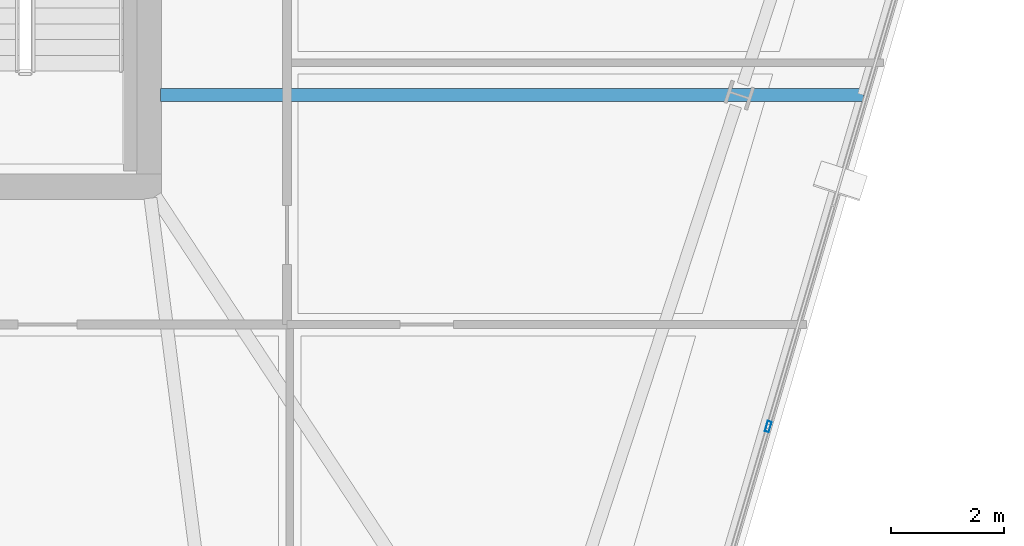
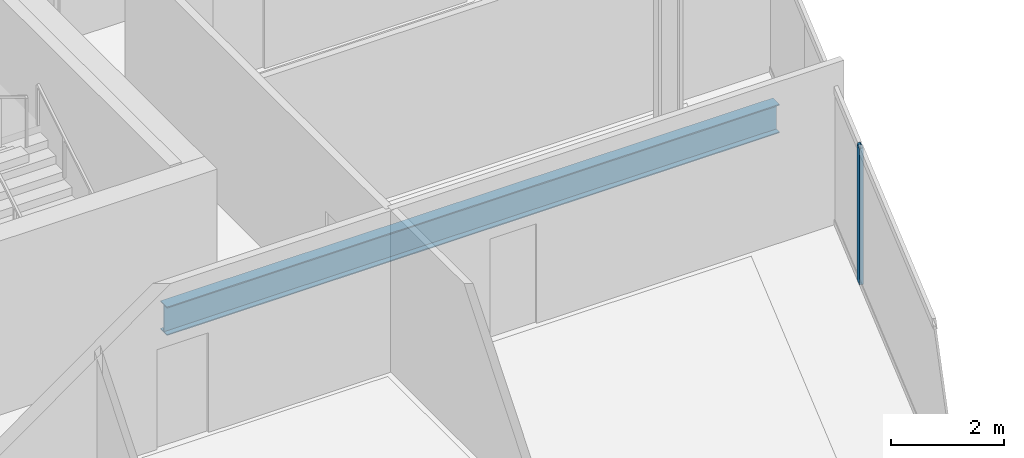
# One storey, part 10 of 26: 1 beam, 1 member, 1 element without a shape of its own.
"""IFC4 building model written with IfcOpenShell, lengths in metres."""

from ifc_helpers import new_model, si_unit, direction, frame, origin, origin_2d, place, context, subcontext, project, spatial, hollow_rectangle, i_section, extrude, material, material_profile, profile_set, type_object, element, aggregate, save


model = new_model("IFC4")

# Units and contexts
model_context = context("Model", 3, precision=1e-05, world=origin(), true_north=direction((0.0, 1.0)))
body_context = subcontext(model_context, "Body", "Model", "MODEL_VIEW")
ifc_project = project(units=[si_unit("LENGTHUNIT", "METRE"), si_unit("AREAUNIT", "SQUARE_METRE"), si_unit("VOLUMEUNIT", "CUBIC_METRE"), si_unit("PLANEANGLEUNIT", "RADIAN"), si_unit("MASSUNIT", "GRAM", prefix="KILO")], contexts=[model_context])

# Site, building, storey
site_placement = place(None, origin())
site = spatial("IfcSite", under=ifc_project, at=site_placement, CompositionType="ELEMENT")
building_placement = place(site_placement, origin())
building = spatial("IfcBuilding", under=site, at=building_placement, Name="Haldenkirk Collegiate Tower", CompositionType="ELEMENT")
storey_placement = place(building_placement, frame((0.0, 0.0, 274.949951171875)))
storey = spatial("IfcBuildingStorey", under=building, at=storey_placement, Name="L69", CompositionType="ELEMENT", Elevation=274.949951171875)

# Beam
ifc_material_1 = material(Name="Steel ASTM A992 Grade 50", Category="steel")
ifc_material_profile_1 = material_profile(ifc_material_1, i_section(OverallWidth=0.22998046875, OverallDepth=0.616943359375, WebThickness=0.01318359375, FlangeThickness=0.022216796875, at=origin_2d()), Name="W24X94")
ifc_profile_set_1 = profile_set([ifc_material_profile_1], Name="Steel ASTM A992 Grade 50")
beam_type = type_object("IfcBeamType", Name="BM-GIRDER-W24X94", PredefinedType="BEAM", material=ifc_profile_set_1)
beam_placement = place(storey_placement, frame((57.687255859375, 19.624267578125, -0.578369140625), z_axis=(-1.0, 0.0, 0.0), x_axis=(0.0, -1.0, 0.0)))
element("IfcBeam", 1, at=beam_placement, inside=storey, type_object=beam_type, Name="L69 primary floor girder 06", PredefinedType="BEAM", context=body_context, shape_type="SweptSolid", body=[
    extrude(i_section(OverallWidth=0.22998046875, OverallDepth=0.616943359375, WebThickness=0.01318359375, FlangeThickness=0.022216796875, at=origin_2d()), origin(), (0.0, 0.0, 1.0), 12.482177734375),
])

# Curtain wall, member
ifc_material_2 = material(Name="Anodised architectural bronze aluminium", Category="aluminium")
curtain_wall_type = type_object("IfcCurtainWallType", Name="CW-SYS2-CONCAVE", PredefinedType="USERDEFINED", material=ifc_material_2)
curtain_wall_placement = place(storey_placement, origin())
curtain_wall = element("IfcCurtainWall", 2, at=curtain_wall_placement, inside=storey, type_object=curtain_wall_type, Name="L69 South concave recessed bronze-anodised curtain wall", ObjectType="UNITISED CURTAIN WALL", PredefinedType="USERDEFINED")
ifc_material_profile_2 = material_profile(ifc_material_2, hollow_rectangle(XDim=0.074951171875, YDim=0.18994140625, WallThickness=0.0048828125, at=origin_2d()), Name="CW-MUL-02")
ifc_profile_set_2 = profile_set([ifc_material_profile_2], Name="Anodised architectural bronze aluminium")
member_type = type_object("IfcMemberType", Name="CW-MUL-02", PredefinedType="MULLION", material=ifc_profile_set_2)
member_placement = place(storey_placement, frame((55.99658203125, 13.738525390625, 0.0), z_axis=(0.0, 0.0, 1.0), x_axis=(0.9593141571, -0.282340836558, 0.0)))
member = element("IfcMember", 3, at=member_placement, type_object=member_type, Name="CW-02 mullion 3", PredefinedType="MULLION", context=body_context, shape_type="SweptSolid", body=[
    extrude(hollow_rectangle(XDim=0.074951171875, YDim=0.18994140625, WallThickness=0.0048828125, at=origin_2d()), origin(), (0.0, 0.0, 1.0), 2.93798828125),
])
aggregate(curtain_wall, [member])

save(model, "model.ifc")
